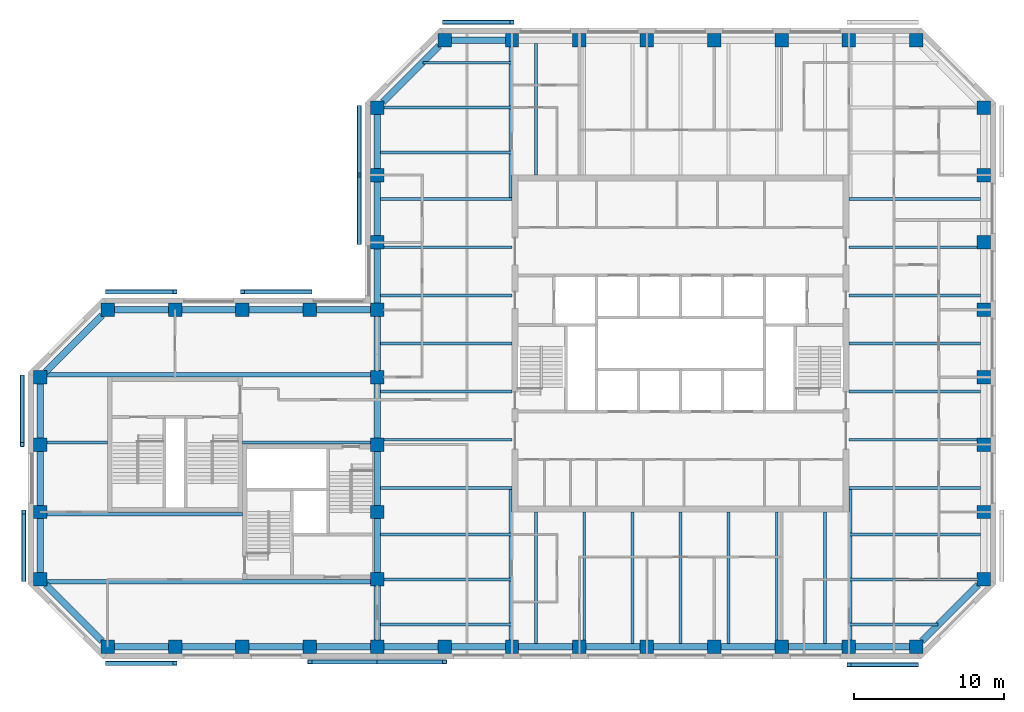
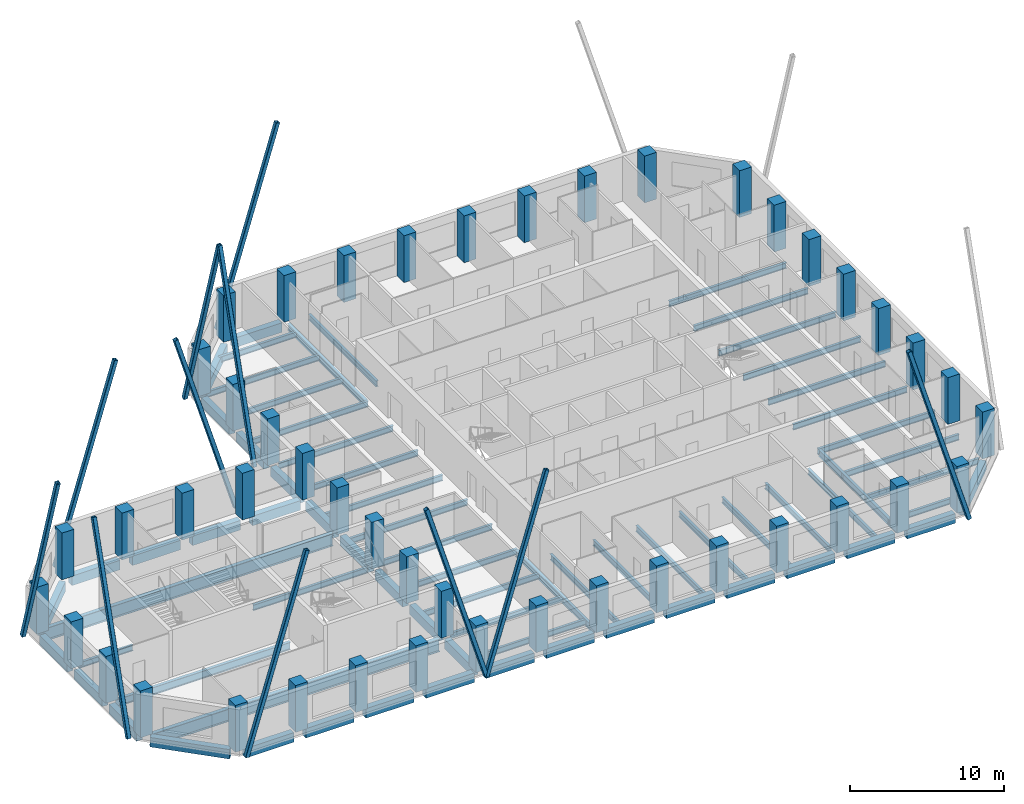
# One storey, part 1 of 10: 71 beams, 45 columns, 11 members.
"""IFC4 building model written with IfcOpenShell, lengths in metres."""

from ifc_helpers import new_model, si_unit, direction, frame, origin, origin_2d, place, context, subcontext, project, spatial, rectangle, hollow_rectangle, i_section, extrude, material, material_profile, profile_set, type_object, element, save


model = new_model("IFC4")

# Units and contexts
model_context = context("Model", 3, precision=1e-05, world=origin(), true_north=direction((0.0, 1.0)))
body_context = subcontext(model_context, "Body", "Model", "MODEL_VIEW")
ifc_project = project(units=[si_unit("LENGTHUNIT", "METRE"), si_unit("AREAUNIT", "SQUARE_METRE"), si_unit("VOLUMEUNIT", "CUBIC_METRE"), si_unit("PLANEANGLEUNIT", "RADIAN"), si_unit("MASSUNIT", "GRAM", prefix="KILO")], contexts=[model_context])

# Site, building, storey
site_placement = place(None, origin())
site = spatial("IfcSite", under=ifc_project, at=site_placement, CompositionType="ELEMENT")
building_placement = place(site_placement, origin())
building = spatial("IfcBuilding", under=site, at=building_placement, Name="Quoin Convention Tower", CompositionType="ELEMENT")
storey_placement = place(building_placement, frame((0.0, 0.0, 188.39990234375)))
storey = spatial("IfcBuildingStorey", under=building, at=storey_placement, Name="L49", CompositionType="ELEMENT", Elevation=188.39990234375)

# Columns
ifc_material_1 = material(Name="Concrete C50", Category="concrete")
ifc_material_profile_1 = material_profile(ifc_material_1, rectangle(XDim=0.89990234375, YDim=0.89990234375, at=origin_2d()), Name="RC 900x900")
ifc_profile_set_1 = profile_set([ifc_material_profile_1], Name="Concrete C50")
column_type = type_object("IfcColumnType", Name="RC 900x900 C50", PredefinedType="COLUMN", material=ifc_profile_set_1)
for number, where, z_axis, x_axis, name in (
    (1, (18.0, 40.5, 0.0), (0.0, 0.0, 1.0), (1.0, 0.0, 0.0), "col-L49-18000_40500"),
    (2, (22.5, 40.5, 0.0), (0.0, 0.0, 1.0), (1.0, 0.0, 0.0), "col-L49-22500_40500"),
    (3, (27.0, 40.5, 0.0), (0.0, 0.0, 1.0), (1.0, 0.0, 0.0), "col-L49-27000_40500"),
    (4, (31.5, 40.5, 0.0), (0.0, 0.0, 1.0), (1.0, 0.0, 0.0), "col-L49-31500_40500"),
    (5, (36.0, 40.5, 0.0), (0.0, 0.0, 1.0), (1.0, 0.0, 0.0), "col-L49-36000_40500"),
    (6, (40.5, 40.5, 0.0), (0.0, 0.0, 1.0), (1.0, 0.0, 0.0), "col-L49-40500_40500"),
    (7, (45.0, 40.5, 0.0), (0.0, 0.0, 1.0), (1.0, 0.0, 0.0), "col-L49-45000_40500"),
    (8, (49.5, 40.5, 0.0), (0.0, 0.0, 1.0), (1.0, 0.0, 0.0), "col-L49-49500_40500"),
    (9, (54.0, 40.5, 0.0), (0.0, 0.0, 1.0), (1.0, 0.0, 0.0), "col-L49-54000_40500"),
    (10, (58.5, 40.5, 0.0), (0.0, 0.0, 1.0), (1.0, 0.0, 0.0), "col-L49-58500_40500"),
    (11, (63.0, 40.5, 0.0), (0.0, 0.0, 1.0), (1.0, 0.0, 0.0), "col-L49-63000_40500"),
    (12, (67.5, 40.5, 0.0), (0.0, 0.0, 1.0), (1.0, 0.0, 0.0), "col-L49-67500_40500"),
    (13, (72.0, 40.5, 0.0), (0.0, 0.0, 1.0), (1.0, 0.0, 0.0), "col-L49-72000_40500"),
    (14, (13.5, 45.0, 0.0), (0.0, 0.0, 1.0), (1.0, 0.0, 0.0), "col-L49-13500_45000"),
    (15, (36.0, 45.0, 0.0), (0.0, 0.0, 1.0), (1.0, 0.0, 0.0), "web-L49-36000_45000"),
    (16, (76.5, 45.0, 0.0), (0.0, 0.0, 1.0), (1.0, 0.0, 0.0), "col-L49-76500_45000"),
    (17, (13.5, 49.5, 0.0), (0.0, 0.0, 1.0), (1.0, 0.0, 0.0), "col-L49-13500_49500"),
    (18, (36.0, 49.5, 0.0), (0.0, 0.0, 1.0), (1.0, 0.0, 0.0), "web-L49-36000_49500"),
    (19, (76.5, 49.5, 0.0), (0.0, 0.0, 1.0), (1.0, 0.0, 0.0), "col-L49-76500_49500"),
    (20, (13.5, 54.0, 0.0), (0.0, 0.0, 1.0), (1.0, 0.0, 0.0), "col-L49-13500_54000"),
    (21, (36.0, 54.0, 0.0), (0.0, 0.0, 1.0), (1.0, 0.0, 0.0), "web-L49-36000_54000"),
    (22, (76.5, 54.0, 0.0), (0.0, 0.0, 1.0), (1.0, 0.0, 0.0), "col-L49-76500_54000"),
    (23, (13.5, 58.5, 0.0), (0.0, 0.0, 1.0), (1.0, 0.0, 0.0), "col-L49-13500_58500"),
    (24, (36.0, 58.5, 0.0), (0.0, 0.0, 1.0), (1.0, 0.0, 0.0), "web-L49-36000_58500"),
    (25, (76.5, 58.5, 0.0), (0.0, 0.0, 1.0), (1.0, 0.0, 0.0), "col-L49-76500_58500"),
    (26, (18.0, 63.0, 0.0), (0.0, 0.0, 1.0), (1.0, 0.0, 0.0), "col-L49-18000_63000"),
    (27, (22.5, 63.0, 0.0), (0.0, 0.0, 1.0), (1.0, 0.0, 0.0), "col-L49-22500_63000"),
    (28, (27.0, 63.0, 0.0), (0.0, 0.0, 1.0), (1.0, 0.0, 0.0), "col-L49-27000_63000"),
    (29, (31.5, 63.0, 0.0), (0.0, 0.0, 1.0), (1.0, 0.0, 0.0), "col-L49-31500_63000"),
    (30, (36.0, 63.0, 0.0), (0.0, 0.0, 1.0), (1.0, 0.0, 0.0), "col-L49-36000_63000"),
    (31, (76.5, 63.0, 0.0), (0.0, 0.0, 1.0), (1.0, 0.0, 0.0), "col-L49-76500_63000"),
    (32, (36.0, 67.5, 0.0), (0.0, 0.0, 1.0), (1.0, 0.0, 0.0), "col-L49-36000_67500"),
    (33, (76.5, 67.5, 0.0), (0.0, 0.0, 1.0), (1.0, 0.0, 0.0), "col-L49-76500_67500"),
    (34, (36.0, 72.0, 0.0), (0.0, 0.0, 1.0), (1.0, 0.0, 0.0), "col-L49-36000_72000"),
    (35, (76.5, 72.0, 0.0), (0.0, 0.0, 1.0), (1.0, 0.0, 0.0), "col-L49-76500_72000"),
    (36, (36.0, 76.5, 0.0), (0.0, 0.0, 1.0), (1.0, 0.0, 0.0), "col-L49-36000_76500"),
    (37, (76.5, 76.5, 0.0), (0.0, 0.0, 1.0), (1.0, 0.0, 0.0), "col-L49-76500_76500"),
    (38, (40.5, 81.0, 0.0), (0.0, 0.0, 1.0), (1.0, 0.0, 0.0), "col-L49-40500_81000"),
    (39, (45.0, 81.0, 0.0), (0.0, 0.0, 1.0), (1.0, 0.0, 0.0), "col-L49-45000_81000"),
    (40, (49.5, 81.0, 0.0), (0.0, 0.0, 1.0), (1.0, 0.0, 0.0), "col-L49-49500_81000"),
    (41, (54.0, 81.0, 0.0), (0.0, 0.0, 1.0), (1.0, 0.0, 0.0), "col-L49-54000_81000"),
    (42, (58.5, 81.0, 0.0), (0.0, 0.0, 1.0), (1.0, 0.0, 0.0), "col-L49-58500_81000"),
    (43, (63.0, 81.0, 0.0), (0.0, 0.0, 1.0), (1.0, 0.0, 0.0), "col-L49-63000_81000"),
    (44, (67.5, 81.0, 0.0), (0.0, 0.0, 1.0), (1.0, 0.0, 0.0), "col-L49-67500_81000"),
    (45, (72.0, 81.0, 0.0), (0.0, 0.0, 1.0), (1.0, 0.0, 0.0), "col-L49-72000_81000"),
):
    element("IfcColumn", number, at=place(storey_placement, frame(where, z_axis=z_axis, x_axis=x_axis)), inside=storey, type_object=column_type, Name=name, PredefinedType="COLUMN", context=body_context, shape_type="SweptSolid", body=[
        extrude(rectangle(XDim=0.89990234375, YDim=0.89990234375, at=origin_2d()), origin(), (0.0, 0.0, 1.0), 3.7001953125),
    ])

# Beams
ifc_material_2 = material(Name="Steel Grade 300", Category="steel")
ifc_material_profile_2 = material_profile(ifc_material_2, i_section(OverallWidth=0.300048828125, OverallDepth=1.0, WebThickness=0.01611328125, FlangeThickness=0.02001953125, at=origin_2d()), Name="1000WB215")
ifc_profile_set_2 = profile_set([ifc_material_profile_2], Name="Steel Grade 300")
beam_type_1 = type_object("IfcBeamType", Name="1000WB215", PredefinedType="BEAM", material=ifc_profile_set_2)
for number, where, z_axis, x_axis, name in (
    (46, (13.949951171875, 44.85009765625, -0.64990234375), (1.0, 0.0, 0.0), (0.0, 1.0, 0.0), "gir-L49-ST2-1-0"),
    (47, (13.949951171875, 58.64990234375, -0.64990234375), (1.0, 0.0, 0.0), (0.0, 1.0, 0.0), "gir-L49-ST2-4-0"),
):
    element("IfcBeam", number, at=place(storey_placement, frame(where, z_axis=z_axis, x_axis=x_axis)), inside=storey, type_object=beam_type_1, Name=name, PredefinedType="BEAM", context=body_context, shape_type="SweptSolid", body=[
        extrude(i_section(OverallWidth=0.300048828125, OverallDepth=1.0, WebThickness=0.01611328125, FlangeThickness=0.02001953125, at=origin_2d()), origin(), (0.0, 0.0, 1.0), 21.60009765625),
    ])
ifc_material_profile_3 = material_profile(ifc_material_2, i_section(OverallWidth=0.18994140625, OverallDepth=0.4541015625, WebThickness=0.008544921875, FlangeThickness=0.0126953125, FilletRadius=0.011474609375, at=origin_2d()), Name="460UB67.1")
ifc_profile_set_3 = profile_set([ifc_material_profile_3], Name="Steel Grade 300")
beam_type_2 = type_object("IfcBeamType", Name="460UB67.1", PredefinedType="BEAM", material=ifc_profile_set_3)
beam_1_placement = place(storey_placement, frame((36.22509765625, 51.107177734375, -0.376953125), z_axis=(1.0, 0.0, 0.0), x_axis=(0.0, 1.0, 0.0)))
element("IfcBeam", 48, at=beam_1_placement, inside=storey, type_object=beam_type_2, Name="bm-L49-T1W0", PredefinedType="BEAM", context=body_context, shape_type="SweptSolid", body=[
    extrude(i_section(OverallWidth=0.18994140625, OverallDepth=0.4541015625, WebThickness=0.008544921875, FlangeThickness=0.0126953125, FilletRadius=0.011474609375, at=origin_2d()), origin(), (0.0, 0.0, 1.0), 8.77490234375),
])
beam_2_placement = place(storey_placement, frame((36.449951171875, 54.3212890625, -0.376953125), z_axis=(1.0, 0.0, 0.0), x_axis=(0.0, 1.0, 0.0)))
element("IfcBeam", 49, at=beam_2_placement, inside=storey, type_object=beam_type_2, Name="bm-L49-T1W1", PredefinedType="BEAM", context=body_context, shape_type="SweptSolid", body=[
    extrude(i_section(OverallWidth=0.18994140625, OverallDepth=0.4541015625, WebThickness=0.008544921875, FlangeThickness=0.0126953125, FilletRadius=0.011474609375, at=origin_2d()), origin(), (0.0, 0.0, 1.0), 8.550048828125),
])
for number, where, z_axis, x_axis, name in (
    (50, (36.22509765625, 57.53564453125, -0.376953125), (1.0, 0.0, 0.0), (0.0, 1.0, 0.0), "bm-L49-T1W2"),
    (51, (36.22509765625, 60.75, -0.376953125), (1.0, 0.0, 0.0), (0.0, 1.0, 0.0), "bm-L49-T1W3"),
    (52, (36.22509765625, 63.96435546875, -0.376953125), (1.0, 0.0, 0.0), (0.0, 1.0, 0.0), "bm-L49-T1W4"),
):
    element("IfcBeam", number, at=place(storey_placement, frame(where, z_axis=z_axis, x_axis=x_axis)), inside=storey, type_object=beam_type_2, Name=name, PredefinedType="BEAM", context=body_context, shape_type="SweptSolid", body=[
        extrude(i_section(OverallWidth=0.18994140625, OverallDepth=0.4541015625, WebThickness=0.008544921875, FlangeThickness=0.0126953125, FilletRadius=0.011474609375, at=origin_2d()), origin(), (0.0, 0.0, 1.0), 8.77490234375),
    ])
beam_3_placement = place(storey_placement, frame((36.449951171875, 67.1787109375, -0.376953125), z_axis=(1.0, 0.0, 0.0), x_axis=(0.0, 1.0, 0.0)))
element("IfcBeam", 53, at=beam_3_placement, inside=storey, type_object=beam_type_2, Name="bm-L49-T1W5", PredefinedType="BEAM", context=body_context, shape_type="SweptSolid", body=[
    extrude(i_section(OverallWidth=0.18994140625, OverallDepth=0.4541015625, WebThickness=0.008544921875, FlangeThickness=0.0126953125, FilletRadius=0.011474609375, at=origin_2d()), origin(), (0.0, 0.0, 1.0), 8.550048828125),
])
for number, where, z_axis, x_axis, name in (
    (54, (36.22509765625, 70.392822265625, -0.376953125), (1.0, 0.0, 0.0), (0.0, 1.0, 0.0), "bm-L49-T1W6"),
    (55, (67.5, 51.107177734375, -0.376953125), (1.0, 0.0, 0.0), (0.0, 1.0, 0.0), "bm-L49-T1E0"),
):
    element("IfcBeam", number, at=place(storey_placement, frame(where, z_axis=z_axis, x_axis=x_axis)), inside=storey, type_object=beam_type_2, Name=name, PredefinedType="BEAM", context=body_context, shape_type="SweptSolid", body=[
        extrude(i_section(OverallWidth=0.18994140625, OverallDepth=0.4541015625, WebThickness=0.008544921875, FlangeThickness=0.0126953125, FilletRadius=0.011474609375, at=origin_2d()), origin(), (0.0, 0.0, 1.0), 8.77490234375),
    ])
beam_4_placement = place(storey_placement, frame((67.5, 54.3212890625, -0.376953125), z_axis=(1.0, 0.0, 0.0), x_axis=(0.0, 1.0, 0.0)))
element("IfcBeam", 56, at=beam_4_placement, inside=storey, type_object=beam_type_2, Name="bm-L49-T1E1", PredefinedType="BEAM", context=body_context, shape_type="SweptSolid", body=[
    extrude(i_section(OverallWidth=0.18994140625, OverallDepth=0.4541015625, WebThickness=0.008544921875, FlangeThickness=0.0126953125, FilletRadius=0.011474609375, at=origin_2d()), origin(), (0.0, 0.0, 1.0), 8.550048828125),
])
for number, where, z_axis, x_axis, name in (
    (57, (67.5, 57.53564453125, -0.376953125), (1.0, 0.0, 0.0), (0.0, 1.0, 0.0), "bm-L49-T1E2"),
    (58, (67.5, 60.75, -0.376953125), (1.0, 0.0, 0.0), (0.0, 1.0, 0.0), "bm-L49-T1E3"),
    (59, (67.5, 63.96435546875, -0.376953125), (1.0, 0.0, 0.0), (0.0, 1.0, 0.0), "bm-L49-T1E4"),
):
    element("IfcBeam", number, at=place(storey_placement, frame(where, z_axis=z_axis, x_axis=x_axis)), inside=storey, type_object=beam_type_2, Name=name, PredefinedType="BEAM", context=body_context, shape_type="SweptSolid", body=[
        extrude(i_section(OverallWidth=0.18994140625, OverallDepth=0.4541015625, WebThickness=0.008544921875, FlangeThickness=0.0126953125, FilletRadius=0.011474609375, at=origin_2d()), origin(), (0.0, 0.0, 1.0), 8.77490234375),
    ])
beam_5_placement = place(storey_placement, frame((67.5, 67.1787109375, -0.376953125), z_axis=(1.0, 0.0, 0.0), x_axis=(0.0, 1.0, 0.0)))
element("IfcBeam", 60, at=beam_5_placement, inside=storey, type_object=beam_type_2, Name="bm-L49-T1E5", PredefinedType="BEAM", context=body_context, shape_type="SweptSolid", body=[
    extrude(i_section(OverallWidth=0.18994140625, OverallDepth=0.4541015625, WebThickness=0.008544921875, FlangeThickness=0.0126953125, FilletRadius=0.011474609375, at=origin_2d()), origin(), (0.0, 0.0, 1.0), 8.550048828125),
])
for number, where, z_axis, x_axis, name in (
    (61, (67.5, 70.392822265625, -0.376953125), (1.0, 0.0, 0.0), (0.0, 1.0, 0.0), "bm-L49-T1E6"),
    (62, (46.607177734375, 40.72509765625, -0.376953125), (0.0, 1.0, 0.0), (-1.0, 0.0, 0.0), "bm-L49-T1S0"),
):
    element("IfcBeam", number, at=place(storey_placement, frame(where, z_axis=z_axis, x_axis=x_axis)), inside=storey, type_object=beam_type_2, Name=name, PredefinedType="BEAM", context=body_context, shape_type="SweptSolid", body=[
        extrude(i_section(OverallWidth=0.18994140625, OverallDepth=0.4541015625, WebThickness=0.008544921875, FlangeThickness=0.0126953125, FilletRadius=0.011474609375, at=origin_2d()), origin(), (0.0, 0.0, 1.0), 8.77490234375),
    ])
beam_6_placement = place(storey_placement, frame((49.8212890625, 40.949951171875, -0.376953125), z_axis=(0.0, 1.0, 0.0), x_axis=(-1.0, 0.0, 0.0)))
element("IfcBeam", 63, at=beam_6_placement, inside=storey, type_object=beam_type_2, Name="bm-L49-T1S1", PredefinedType="BEAM", context=body_context, shape_type="SweptSolid", body=[
    extrude(i_section(OverallWidth=0.18994140625, OverallDepth=0.4541015625, WebThickness=0.008544921875, FlangeThickness=0.0126953125, FilletRadius=0.011474609375, at=origin_2d()), origin(), (0.0, 0.0, 1.0), 8.550048828125),
])
for number, where, z_axis, x_axis, name in (
    (64, (53.03564453125, 40.72509765625, -0.376953125), (0.0, 1.0, 0.0), (-1.0, 0.0, 0.0), "bm-L49-T1S2"),
    (65, (56.25, 40.72509765625, -0.376953125), (0.0, 1.0, 0.0), (-1.0, 0.0, 0.0), "bm-L49-T1S3"),
    (66, (59.46435546875, 40.72509765625, -0.376953125), (0.0, 1.0, 0.0), (-1.0, 0.0, 0.0), "bm-L49-T1S4"),
):
    element("IfcBeam", number, at=place(storey_placement, frame(where, z_axis=z_axis, x_axis=x_axis)), inside=storey, type_object=beam_type_2, Name=name, PredefinedType="BEAM", context=body_context, shape_type="SweptSolid", body=[
        extrude(i_section(OverallWidth=0.18994140625, OverallDepth=0.4541015625, WebThickness=0.008544921875, FlangeThickness=0.0126953125, FilletRadius=0.011474609375, at=origin_2d()), origin(), (0.0, 0.0, 1.0), 8.77490234375),
    ])
beam_7_placement = place(storey_placement, frame((62.6787109375, 40.949951171875, -0.376953125), z_axis=(0.0, 1.0, 0.0), x_axis=(-1.0, 0.0, 0.0)))
element("IfcBeam", 67, at=beam_7_placement, inside=storey, type_object=beam_type_2, Name="bm-L49-T1S5", PredefinedType="BEAM", context=body_context, shape_type="SweptSolid", body=[
    extrude(i_section(OverallWidth=0.18994140625, OverallDepth=0.4541015625, WebThickness=0.008544921875, FlangeThickness=0.0126953125, FilletRadius=0.011474609375, at=origin_2d()), origin(), (0.0, 0.0, 1.0), 8.550048828125),
])
for number, where, z_axis, x_axis, name in (
    (68, (65.892822265625, 40.72509765625, -0.376953125), (0.0, 1.0, 0.0), (-1.0, 0.0, 0.0), "bm-L49-T1S6"),
    (69, (46.607177734375, 72.0, -0.376953125), (0.0, 1.0, 0.0), (-1.0, 0.0, 0.0), "bm-L49-T1N0"),
    (70, (36.22509765625, 42.0, -0.376953125), (1.0, 0.0, 0.0), (0.0, 1.0, 0.0), "bm-L49-T1SW0"),
):
    element("IfcBeam", number, at=place(storey_placement, frame(where, z_axis=z_axis, x_axis=x_axis)), inside=storey, type_object=beam_type_2, Name=name, PredefinedType="BEAM", context=body_context, shape_type="SweptSolid", body=[
        extrude(i_section(OverallWidth=0.18994140625, OverallDepth=0.4541015625, WebThickness=0.008544921875, FlangeThickness=0.0126953125, FilletRadius=0.011474609375, at=origin_2d()), origin(), (0.0, 0.0, 1.0), 8.77490234375),
    ])
beam_8_placement = place(storey_placement, frame((36.449951171875, 45.0, -0.376953125), z_axis=(1.0, 0.0, 0.0), x_axis=(0.0, 1.0, 0.0)))
element("IfcBeam", 71, at=beam_8_placement, inside=storey, type_object=beam_type_2, Name="bm-L49-T1SW1", PredefinedType="BEAM", context=body_context, shape_type="SweptSolid", body=[
    extrude(i_section(OverallWidth=0.18994140625, OverallDepth=0.4541015625, WebThickness=0.008544921875, FlangeThickness=0.0126953125, FilletRadius=0.011474609375, at=origin_2d()), origin(), (0.0, 0.0, 1.0), 8.550048828125),
])
beam_9_placement = place(storey_placement, frame((36.22509765625, 48.0, -0.376953125), z_axis=(1.0, 0.0, 0.0), x_axis=(0.0, 1.0, 0.0)))
element("IfcBeam", 72, at=beam_9_placement, inside=storey, type_object=beam_type_2, Name="bm-L49-T1SW2", PredefinedType="BEAM", context=body_context, shape_type="SweptSolid", body=[
    extrude(i_section(OverallWidth=0.18994140625, OverallDepth=0.4541015625, WebThickness=0.008544921875, FlangeThickness=0.0126953125, FilletRadius=0.011474609375, at=origin_2d()), origin(), (0.0, 0.0, 1.0), 8.77490234375),
])
beam_10_placement = place(storey_placement, frame((67.5, 42.0, -0.376953125), z_axis=(1.0, 0.0, 0.0), x_axis=(0.0, 1.0, 0.0)))
element("IfcBeam", 73, at=beam_10_placement, inside=storey, type_object=beam_type_2, Name="bm-L49-T1SE0", PredefinedType="BEAM", context=body_context, shape_type="SweptSolid", body=[
    extrude(i_section(OverallWidth=0.18994140625, OverallDepth=0.4541015625, WebThickness=0.008544921875, FlangeThickness=0.0126953125, FilletRadius=0.011474609375, at=origin_2d()), origin(), (0.0, 0.0, 1.0), 5.935791015625),
])
beam_11_placement = place(storey_placement, frame((67.5, 45.0, -0.376953125), z_axis=(1.0, 0.0, 0.0), x_axis=(0.0, 1.0, 0.0)))
element("IfcBeam", 74, at=beam_11_placement, inside=storey, type_object=beam_type_2, Name="bm-L49-T1SE1", PredefinedType="BEAM", context=body_context, shape_type="SweptSolid", body=[
    extrude(i_section(OverallWidth=0.18994140625, OverallDepth=0.4541015625, WebThickness=0.008544921875, FlangeThickness=0.0126953125, FilletRadius=0.011474609375, at=origin_2d()), origin(), (0.0, 0.0, 1.0), 8.550048828125),
])
beam_12_placement = place(storey_placement, frame((67.5, 48.0, -0.376953125), z_axis=(1.0, 0.0, 0.0), x_axis=(0.0, 1.0, 0.0)))
element("IfcBeam", 75, at=beam_12_placement, inside=storey, type_object=beam_type_2, Name="bm-L49-T1SE2", PredefinedType="BEAM", context=body_context, shape_type="SweptSolid", body=[
    extrude(i_section(OverallWidth=0.18994140625, OverallDepth=0.4541015625, WebThickness=0.008544921875, FlangeThickness=0.0126953125, FilletRadius=0.011474609375, at=origin_2d()), origin(), (0.0, 0.0, 1.0), 8.77490234375),
])
beam_13_placement = place(storey_placement, frame((39.064208984375, 79.5, -0.376953125), z_axis=(1.0, 0.0, 0.0), x_axis=(0.0, 1.0, 0.0)))
element("IfcBeam", 76, at=beam_13_placement, inside=storey, type_object=beam_type_2, Name="bm-L49-T1NW0", PredefinedType="BEAM", context=body_context, shape_type="SweptSolid", body=[
    extrude(i_section(OverallWidth=0.18994140625, OverallDepth=0.4541015625, WebThickness=0.008544921875, FlangeThickness=0.0126953125, FilletRadius=0.011474609375, at=origin_2d()), origin(), (0.0, 0.0, 1.0), 5.935791015625),
])
beam_14_placement = place(storey_placement, frame((36.449951171875, 76.5, -0.376953125), z_axis=(1.0, 0.0, 0.0), x_axis=(0.0, 1.0, 0.0)))
element("IfcBeam", 77, at=beam_14_placement, inside=storey, type_object=beam_type_2, Name="bm-L49-T1NW1", PredefinedType="BEAM", context=body_context, shape_type="SweptSolid", body=[
    extrude(i_section(OverallWidth=0.18994140625, OverallDepth=0.4541015625, WebThickness=0.008544921875, FlangeThickness=0.0126953125, FilletRadius=0.011474609375, at=origin_2d()), origin(), (0.0, 0.0, 1.0), 8.550048828125),
])
beam_15_placement = place(storey_placement, frame((36.22509765625, 73.5, -0.376953125), z_axis=(1.0, 0.0, 0.0), x_axis=(0.0, 1.0, 0.0)))
element("IfcBeam", 78, at=beam_15_placement, inside=storey, type_object=beam_type_2, Name="bm-L49-T1NW2", PredefinedType="BEAM", context=body_context, shape_type="SweptSolid", body=[
    extrude(i_section(OverallWidth=0.18994140625, OverallDepth=0.4541015625, WebThickness=0.008544921875, FlangeThickness=0.0126953125, FilletRadius=0.011474609375, at=origin_2d()), origin(), (0.0, 0.0, 1.0), 8.77490234375),
])
beam_16_placement = place(storey_placement, frame((13.949951171875, 54.14990234375, -0.376953125), z_axis=(1.0, 0.0, 0.0), x_axis=(0.0, 1.0, 0.0)))
element("IfcBeam", 79, at=beam_16_placement, inside=storey, type_object=beam_type_2, Name="gir-L49-ST2-3-0", PredefinedType="BEAM", context=body_context, shape_type="SweptSolid", body=[
    extrude(i_section(OverallWidth=0.18994140625, OverallDepth=0.4541015625, WebThickness=0.008544921875, FlangeThickness=0.0126953125, FilletRadius=0.011474609375, at=origin_2d()), origin(), (0.0, 0.0, 1.0), 4.050048828125),
])
beam_17_placement = place(storey_placement, frame((27.0, 54.14990234375, -0.376953125), z_axis=(1.0, 0.0, 0.0), x_axis=(0.0, 1.0, 0.0)))
element("IfcBeam", 80, at=beam_17_placement, inside=storey, type_object=beam_type_2, Name="gir-L49-ST2-3-1", PredefinedType="BEAM", context=body_context, shape_type="SweptSolid", body=[
    extrude(i_section(OverallWidth=0.18994140625, OverallDepth=0.4541015625, WebThickness=0.008544921875, FlangeThickness=0.0126953125, FilletRadius=0.011474609375, at=origin_2d()), origin(), (0.0, 0.0, 1.0), 8.550048828125),
])
ifc_material_profile_4 = material_profile(ifc_material_2, i_section(OverallWidth=0.208984375, OverallDepth=0.528076171875, WebThickness=0.009521484375, FlangeThickness=0.01318359375, FilletRadius=0.013916015625, at=origin_2d()), Name="530UB82.0")
ifc_profile_set_4 = profile_set([ifc_material_profile_4], Name="Steel Grade 300")
beam_type_3 = type_object("IfcBeamType", Name="530UB82.0", PredefinedType="BEAM", material=ifc_profile_set_4)
for number, where, z_axis, x_axis, name in (
    (81, (44.904541015625, 40.949951171875, -0.413818359375), (0.0, 1.0, 0.0), (-1.0, 0.0, 0.0), "gir-L49-T1SW"),
    (82, (67.595458984375, 40.949951171875, -0.413818359375), (0.0, 1.0, 0.0), (-1.0, 0.0, 0.0), "gir-L49-T1SE"),
    (83, (44.904541015625, 80.550048828125, -0.413818359375), (0.0, -1.0, 0.0), (1.0, 0.0, 0.0), "gir-L49-T1NW"),
):
    element("IfcBeam", number, at=place(storey_placement, frame(where, z_axis=z_axis, x_axis=x_axis)), inside=storey, type_object=beam_type_3, Name=name, PredefinedType="BEAM", context=body_context, shape_type="SweptSolid", body=[
        extrude(i_section(OverallWidth=0.208984375, OverallDepth=0.528076171875, WebThickness=0.009521484375, FlangeThickness=0.01318359375, FilletRadius=0.013916015625, at=origin_2d()), origin(), (0.0, 0.0, 1.0), 10.062255859375),
    ])
ifc_material_profile_5 = material_profile(ifc_material_2, i_section(OverallWidth=0.22802734375, OverallDepth=0.60205078125, WebThickness=0.010498046875, FlangeThickness=0.014892578125, FilletRadius=0.013916015625, at=origin_2d()), Name="610UB101")
ifc_profile_set_5 = profile_set([ifc_material_profile_5], Name="Steel Grade 300")
beam_type_4 = type_object("IfcBeamType", Name="610UB101", PredefinedType="BEAM", material=ifc_profile_set_5)
beam_18_placement = place(storey_placement, frame((13.949951171875, 49.35009765625, -0.450927734375), z_axis=(1.0, 0.0, 0.0), x_axis=(0.0, 1.0, 0.0)))
element("IfcBeam", 84, at=beam_18_placement, inside=storey, type_object=beam_type_4, Name="gir-L49-ST2-2-0", PredefinedType="BEAM", context=body_context, shape_type="SweptSolid", body=[
    extrude(i_section(OverallWidth=0.22802734375, OverallDepth=0.60205078125, WebThickness=0.010498046875, FlangeThickness=0.014892578125, FilletRadius=0.013916015625, at=origin_2d()), origin(), (0.0, 0.0, 1.0), 13.050048828125),
])

# Members
ifc_material_3 = material(Name="Steel C450L0", Category="steel")
ifc_material_profile_6 = material_profile(ifc_material_3, hollow_rectangle(XDim=0.300048828125, YDim=0.300048828125, WallThickness=0.012451171875, InnerFilletRadius=0.018798828125, OuterFilletRadius=0.03125, at=origin_2d()), Name="300x300x12.5SHS")
ifc_profile_set_6 = profile_set([ifc_material_profile_6], Name="Steel C450L0")
member_type = type_object("IfcMemberType", Name="Exposed brace 300x300x12.5SHS", PredefinedType="BRACE", material=ifc_profile_set_6)
for number, where, z_axis, x_axis, name in (
    (85, (12.300048828125, 58.5, -0.074951171875), (0.0, -0.290903487189, 0.956752403259), (1.0, 0.0, 0.0), "brc-L49-13500_58500-13500_54000"),
    (86, (12.39990234375, 45.0, -0.074951171875), (0.0, 0.290903487189, 0.956752403259), (-1.0, 0.0, 0.0), "brc-L49-13500_49500-13500_45000"),
    (87, (18.0, 39.39990234375, -0.074951171875), (0.290903487189, 0.0, 0.956752403259), (0.0, 1.0, 0.0), "brc-L49-18000_40500-22500_40500"),
    (88, (36.0, 39.5, -0.074951171875), (-0.290903487189, 0.0, 0.956752403259), (0.0, -1.0, 0.0), "brc-L49-31500_40500-36000_40500"),
    (89, (36.0, 39.5, -0.074951171875), (0.290903487189, 0.0, 0.956752403259), (0.0, 1.0, 0.0), "brc-L49-36000_40500-40500_40500"),
    (90, (72.0, 39.300048828125, -0.074951171875), (-0.290903487189, 0.0, 0.956752403259), (0.0, -1.0, 0.0), "brc-L49-67500_40500-72000_40500"),
    (91, (31.5, 64.199951171875, -0.074951171875), (-0.290903487189, 0.0, 0.956752403259), (0.0, -1.0, 0.0), "brc-L49-31500_63000-27000_63000"),
    (92, (18.0, 64.199951171875, -0.074951171875), (0.290903487189, 0.0, 0.956752403259), (0.0, 1.0, 0.0), "brc-L49-22500_63000-18000_63000"),
    (93, (34.800048828125, 76.5, -0.074951171875), (0.0, -0.290903487189, 0.956752403259), (1.0, 0.0, 0.0), "brc-L49-36000_76500-36000_72000"),
    (94, (34.800048828125, 67.5, -0.074951171875), (0.0, 0.290903487189, 0.956752403259), (-1.0, 0.0, 0.0), "brc-L49-36000_72000-36000_67500"),
    (95, (40.5, 82.199951171875, -0.074951171875), (0.290903487189, 0.0, 0.956752403259), (0.0, 1.0, 0.0), "brc-L49-45000_81000-40500_81000"),
):
    element("IfcMember", number, at=place(storey_placement, frame(where, z_axis=z_axis, x_axis=x_axis)), inside=storey, type_object=member_type, Name=name, PredefinedType="BRACE", context=body_context, shape_type="SweptSolid", body=[
        extrude(hollow_rectangle(XDim=0.300048828125, YDim=0.300048828125, WallThickness=0.012451171875, InnerFilletRadius=0.018798828125, OuterFilletRadius=0.03125, at=origin_2d()), origin(), (0.0, 0.0, 1.0), 15.468994140625),
    ])

# Beams
ifc_material_profile_7 = material_profile(ifc_material_1, rectangle(XDim=0.449951171875, YDim=0.75, at=origin_2d()), Name="RC 450x750")
ifc_profile_set_7 = profile_set([ifc_material_profile_7], Name="Concrete C50")
beam_type_5 = type_object("IfcBeamType", Name="RC 450x750 C50", PredefinedType="SPANDREL", material=ifc_profile_set_7)
for number, where, z_axis, x_axis, name in (
    (96, (36.449951171875, 40.5, -0.52490234375), (1.0, 0.0, 0.0), (0.0, 1.0, 0.0), "spd-L49-36000_40500-40500_40500"),
    (97, (40.949951171875, 40.5, -0.52490234375), (1.0, 0.0, 0.0), (0.0, 1.0, 0.0), "spd-L49-40500_40500-45000_40500"),
    (98, (45.449951171875, 40.5, -0.52490234375), (1.0, 0.0, 0.0), (0.0, 1.0, 0.0), "spd-L49-45000_40500-49500_40500"),
    (99, (49.949951171875, 40.5, -0.52490234375), (1.0, 0.0, 0.0), (0.0, 1.0, 0.0), "spd-L49-49500_40500-54000_40500"),
    (100, (54.449951171875, 40.5, -0.52490234375), (1.0, 0.0, 0.0), (0.0, 1.0, 0.0), "spd-L49-54000_40500-58500_40500"),
    (101, (58.949951171875, 40.5, -0.52490234375), (1.0, 0.0, 0.0), (0.0, 1.0, 0.0), "spd-L49-58500_40500-63000_40500"),
    (102, (63.449951171875, 40.5, -0.52490234375), (1.0, 0.0, 0.0), (0.0, 1.0, 0.0), "spd-L49-63000_40500-67500_40500"),
    (103, (67.949951171875, 40.5, -0.52490234375), (1.0, 0.0, 0.0), (0.0, 1.0, 0.0), "spd-L49-67500_40500-72000_40500"),
):
    element("IfcBeam", number, at=place(storey_placement, frame(where, z_axis=z_axis, x_axis=x_axis)), inside=storey, type_object=beam_type_5, Name=name, PredefinedType="SPANDREL", context=body_context, shape_type="SweptSolid", body=[
        extrude(rectangle(XDim=0.449951171875, YDim=0.75, at=origin_2d()), origin(), (0.0, 0.0, 1.0), 3.60009765625),
    ])
beam_19_placement = place(storey_placement, frame((72.364990234375, 40.864990234375, -0.52490234375), z_axis=(0.707106781187, 0.707106781187, 0.0), x_axis=(-0.707106781187, 0.707106781187, 0.0)))
element("IfcBeam", 104, at=beam_19_placement, inside=storey, type_object=beam_type_5, Name="spd-L49-72000_40500-76500_45000", PredefinedType="SPANDREL", context=body_context, shape_type="SweptSolid", body=[
    extrude(rectangle(XDim=0.449951171875, YDim=0.75, at=origin_2d()), origin(), (0.0, 0.0, 1.0), 5.33154296875),
])
beam_20_placement = place(storey_placement, frame((44.550048828125, 81.0, -0.52490234375), z_axis=(-1.0, 0.0, 0.0), x_axis=(0.0, -1.0, 0.0)))
element("IfcBeam", 105, at=beam_20_placement, inside=storey, type_object=beam_type_5, Name="spd-L49-45000_81000-40500_81000", PredefinedType="SPANDREL", context=body_context, shape_type="SweptSolid", body=[
    extrude(rectangle(XDim=0.449951171875, YDim=0.75, at=origin_2d()), origin(), (0.0, 0.0, 1.0), 3.60009765625),
])
beam_21_placement = place(storey_placement, frame((40.135009765625, 80.635009765625, -0.52490234375), z_axis=(-0.707106781187, -0.707106781187, 0.0), x_axis=(0.707106781187, -0.707106781187, 0.0)))
element("IfcBeam", 106, at=beam_21_placement, inside=storey, type_object=beam_type_5, Name="spd-L49-40500_81000-36000_76500", PredefinedType="SPANDREL", context=body_context, shape_type="SweptSolid", body=[
    extrude(rectangle(XDim=0.449951171875, YDim=0.75, at=origin_2d()), origin(), (0.0, 0.0, 1.0), 5.33154296875),
])
for number, where, z_axis, x_axis, name in (
    (107, (36.0, 76.050048828125, -0.52490234375), (0.0, -1.0, 0.0), (1.0, 0.0, 0.0), "spd-L49-36000_76500-36000_72000"),
    (108, (36.0, 71.550048828125, -0.52490234375), (0.0, -1.0, 0.0), (1.0, 0.0, 0.0), "spd-L49-36000_72000-36000_67500"),
    (109, (36.0, 67.050048828125, -0.52490234375), (0.0, -1.0, 0.0), (1.0, 0.0, 0.0), "spd-L49-36000_67500-36000_63000"),
    (110, (35.550048828125, 63.0, -0.52490234375), (-1.0, 0.0, 0.0), (0.0, -1.0, 0.0), "spd-L49-36000_63000-31500_63000"),
    (111, (31.050048828125, 63.0, -0.52490234375), (-1.0, 0.0, 0.0), (0.0, -1.0, 0.0), "spd-L49-31500_63000-27000_63000"),
    (112, (26.550048828125, 63.0, -0.52490234375), (-1.0, 0.0, 0.0), (0.0, -1.0, 0.0), "spd-L49-27000_63000-22500_63000"),
    (113, (22.050048828125, 63.0, -0.52490234375), (-1.0, 0.0, 0.0), (0.0, -1.0, 0.0), "spd-L49-22500_63000-18000_63000"),
):
    element("IfcBeam", number, at=place(storey_placement, frame(where, z_axis=z_axis, x_axis=x_axis)), inside=storey, type_object=beam_type_5, Name=name, PredefinedType="SPANDREL", context=body_context, shape_type="SweptSolid", body=[
        extrude(rectangle(XDim=0.449951171875, YDim=0.75, at=origin_2d()), origin(), (0.0, 0.0, 1.0), 3.60009765625),
    ])
beam_22_placement = place(storey_placement, frame((17.635009765625, 62.635009765625, -0.52490234375), z_axis=(-0.707106781187, -0.707106781187, 0.0), x_axis=(0.707106781187, -0.707106781187, 0.0)))
element("IfcBeam", 114, at=beam_22_placement, inside=storey, type_object=beam_type_5, Name="spd-L49-18000_63000-13500_58500", PredefinedType="SPANDREL", context=body_context, shape_type="SweptSolid", body=[
    extrude(rectangle(XDim=0.449951171875, YDim=0.75, at=origin_2d()), origin(), (0.0, 0.0, 1.0), 5.33154296875),
])
for number, where, z_axis, x_axis, name in (
    (115, (13.5, 58.050048828125, -0.52490234375), (0.0, -1.0, 0.0), (1.0, 0.0, 0.0), "spd-L49-13500_58500-13500_54000"),
    (116, (13.5, 53.550048828125, -0.52490234375), (0.0, -1.0, 0.0), (1.0, 0.0, 0.0), "spd-L49-13500_54000-13500_49500"),
    (117, (13.5, 49.050048828125, -0.52490234375), (0.0, -1.0, 0.0), (1.0, 0.0, 0.0), "spd-L49-13500_49500-13500_45000"),
):
    element("IfcBeam", number, at=place(storey_placement, frame(where, z_axis=z_axis, x_axis=x_axis)), inside=storey, type_object=beam_type_5, Name=name, PredefinedType="SPANDREL", context=body_context, shape_type="SweptSolid", body=[
        extrude(rectangle(XDim=0.449951171875, YDim=0.75, at=origin_2d()), origin(), (0.0, 0.0, 1.0), 3.60009765625),
    ])
beam_23_placement = place(storey_placement, frame((13.864990234375, 44.635009765625, -0.52490234375), z_axis=(0.707106781187, -0.707106781187, 0.0), x_axis=(0.707106781187, 0.707106781187, 0.0)))
element("IfcBeam", 118, at=beam_23_placement, inside=storey, type_object=beam_type_5, Name="spd-L49-13500_45000-18000_40500", PredefinedType="SPANDREL", context=body_context, shape_type="SweptSolid", body=[
    extrude(rectangle(XDim=0.449951171875, YDim=0.75, at=origin_2d()), origin(), (0.0, 0.0, 1.0), 5.33154296875),
])
for number, where, z_axis, x_axis, name in (
    (119, (18.449951171875, 40.5, -0.52490234375), (1.0, 0.0, 0.0), (0.0, 1.0, 0.0), "spd-L49-18000_40500-22500_40500"),
    (120, (22.949951171875, 40.5, -0.52490234375), (1.0, 0.0, 0.0), (0.0, 1.0, 0.0), "spd-L49-22500_40500-27000_40500"),
    (121, (27.449951171875, 40.5, -0.52490234375), (1.0, 0.0, 0.0), (0.0, 1.0, 0.0), "spd-L49-27000_40500-31500_40500"),
    (122, (31.949951171875, 40.5, -0.52490234375), (1.0, 0.0, 0.0), (0.0, 1.0, 0.0), "spd-L49-31500_40500-36000_40500"),
    (123, (36.0, 40.949951171875, -0.52490234375), (0.0, 1.0, 0.0), (-1.0, 0.0, 0.0), "spd-L49-36000_40500-36000_45000"),
    (124, (36.0, 45.449951171875, -0.52490234375), (0.0, 1.0, 0.0), (-1.0, 0.0, 0.0), "spd-L49-36000_45000-36000_49500"),
    (125, (36.0, 49.949951171875, -0.52490234375), (0.0, 1.0, 0.0), (-1.0, 0.0, 0.0), "spd-L49-36000_49500-36000_54000"),
    (126, (36.0, 54.449951171875, -0.52490234375), (0.0, 1.0, 0.0), (-1.0, 0.0, 0.0), "spd-L49-36000_54000-36000_58500"),
    (127, (36.0, 58.949951171875, -0.52490234375), (0.0, 1.0, 0.0), (-1.0, 0.0, 0.0), "spd-L49-36000_58500-36000_63000"),
):
    element("IfcBeam", number, at=place(storey_placement, frame(where, z_axis=z_axis, x_axis=x_axis)), inside=storey, type_object=beam_type_5, Name=name, PredefinedType="SPANDREL", context=body_context, shape_type="SweptSolid", body=[
        extrude(rectangle(XDim=0.449951171875, YDim=0.75, at=origin_2d()), origin(), (0.0, 0.0, 1.0), 3.60009765625),
    ])

save(model, "model.ifc")
